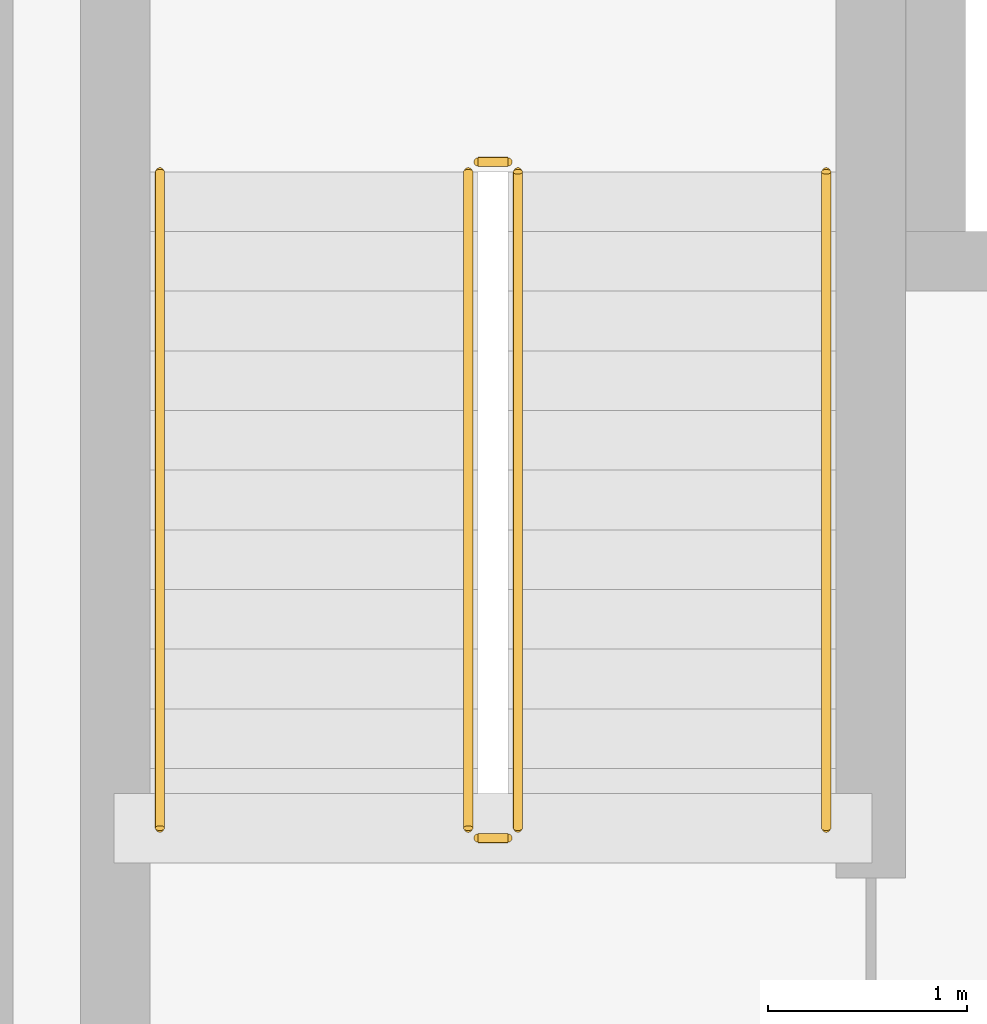
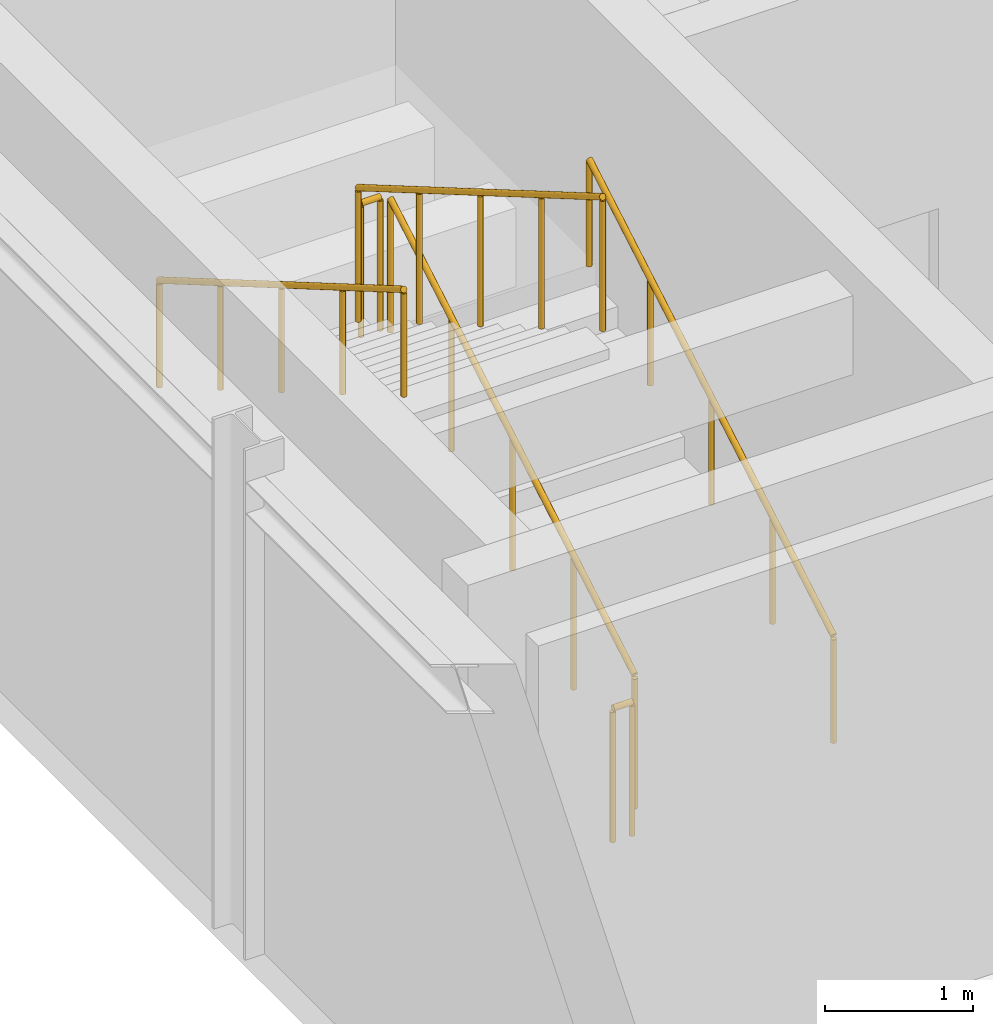
# One storey, part 116 of 122: 6 railings.
"""IFC4 building model written with IfcOpenShell, lengths in metres."""

from ifc_helpers import new_model, si_unit, direction, frame, origin, origin_2d, place, context, subcontext, project, spatial, circle, extrude, material, material_profile, profile_set, type_object, element, save


model = new_model("IFC4")

# Units and contexts
model_context = context("Model", 3, precision=1e-05, world=origin(), true_north=direction((0.0, 1.0)))
body_context = subcontext(model_context, "Body", "Model", "MODEL_VIEW")
ifc_project = project(units=[si_unit("LENGTHUNIT", "METRE"), si_unit("AREAUNIT", "SQUARE_METRE"), si_unit("VOLUMEUNIT", "CUBIC_METRE"), si_unit("PLANEANGLEUNIT", "RADIAN"), si_unit("MASSUNIT", "GRAM", prefix="KILO")], contexts=[model_context])

# Site, building, storey
site_placement = place(None, origin())
site = spatial("IfcSite", under=ifc_project, at=site_placement, CompositionType="ELEMENT")
building_placement = place(site_placement, origin())
building = spatial("IfcBuilding", under=site, at=building_placement, Name="Tazoul Stagehouse", CompositionType="ELEMENT")
storey_placement = place(building_placement, frame((0.0, 0.0, 4.800048828125)))
storey = spatial("IfcBuildingStorey", under=building, at=storey_placement, Name="L01", CompositionType="ELEMENT", Elevation=4.800048828125)

# Railings
ifc_material = material(Name="Brushed Stainless Steel 316L", Category="steel")
ifc_material_profile_1 = material_profile(ifc_material, circle(Radius=0.02392578125, at=origin_2d()), Name="SS RAIL D48")
ifc_profile_set_1 = profile_set([ifc_material_profile_1], Name="Brushed Stainless Steel 316L")
railing_type_1 = type_object("IfcRailingType", Name="Architectural Guardrail H1120", PredefinedType="GUARDRAIL", material=ifc_profile_set_1)
railing_1_placement = place(storey_placement, frame((60.5, 103.800048828125, 0.175048828125)))
element("IfcRailing", 1, at=railing_1_placement, inside=storey, type_object=railing_type_1, Name="L01 ST-03 stair guard 1", PredefinedType="GUARDRAIL", context=body_context, shape_type="SweptSolid", body=[
    extrude(circle(Radius=0.02392578125, at=origin_2d()), frame((0.0, 0.0, 1.09619140625), z_axis=(0.0, 0.863804395585, 0.503827317807), x_axis=(-1.0, 0.0, 0.0)), (0.0, 0.0, 1.0), 3.8203125),
    extrude(circle(Radius=0.02099609375, at=origin_2d()), origin(), (0.0, 0.0, 1.0), 1.072021484375),
    extrude(circle(Radius=0.02099609375, at=origin_2d()), frame((0.0, 0.824951171875, 0.481201171875)), (0.0, 0.0, 1.0), 1.072021484375),
    extrude(circle(Radius=0.02099609375, at=origin_2d()), frame((0.0, 1.64990234375, 0.96240234375)), (0.0, 0.0, 1.0), 1.072021484375),
    extrude(circle(Radius=0.02099609375, at=origin_2d()), frame((0.0, 2.47509765625, 1.443603515625)), (0.0, 0.0, 1.0), 1.072021484375),
    extrude(circle(Radius=0.02099609375, at=origin_2d()), frame((0.0, 3.300048828125, 1.9248046875)), (0.0, 0.0, 1.0), 1.072021484375),
])
railing_2_placement = place(storey_placement, frame((60.449951171875, 107.14990234375, 2.099853515625)))
element("IfcRailing", 2, at=railing_2_placement, inside=storey, type_object=railing_type_1, Name="L01 ST-03 stair guard 2", PredefinedType="GUARDRAIL", context=body_context, shape_type="SweptSolid", body=[
    extrude(circle(Radius=0.02392578125, at=origin_2d()), frame((0.0, 0.0, 1.09619140625), z_axis=(-1.0, 0.0, 0.0), x_axis=(0.0, -1.0, 0.0)), (0.0, 0.0, 1.0), 0.14990234375),
    extrude(circle(Radius=0.02099609375, at=origin_2d()), origin(), (0.0, 0.0, 1.0), 1.072021484375),
    extrude(circle(Radius=0.02099609375, at=origin_2d()), frame((-0.14990234375, 0.0, 0.0)), (0.0, 0.0, 1.0), 1.072021484375),
])
railing_3_placement = place(storey_placement, frame((60.25, 107.10009765625, 2.27490234375)))
element("IfcRailing", 3, at=railing_3_placement, inside=storey, type_object=railing_type_1, Name="L01 ST-03 stair guard 3", PredefinedType="GUARDRAIL", context=body_context, shape_type="SweptSolid", body=[
    extrude(circle(Radius=0.02392578125, at=origin_2d()), frame((0.0, 0.0, 1.09619140625), z_axis=(0.0, -0.863776583165, 0.503874998761), x_axis=(1.0, 0.0, 0.0)), (0.0, 0.0, 1.0), 3.820556640625),
    extrude(circle(Radius=0.02099609375, at=origin_2d()), origin(), (0.0, 0.0, 1.0), 1.072021484375),
    extrude(circle(Radius=0.02099609375, at=origin_2d()), frame((0.0, -0.824951171875, 0.481201171875)), (0.0, 0.0, 1.0), 1.072021484375),
    extrude(circle(Radius=0.02099609375, at=origin_2d()), frame((0.0, -1.64990234375, 0.96240234375)), (0.0, 0.0, 1.0), 1.072021484375),
    extrude(circle(Radius=0.02099609375, at=origin_2d()), frame((0.0, -2.47509765625, 1.44384765625)), (0.0, 0.0, 1.0), 1.072021484375),
    extrude(circle(Radius=0.02099609375, at=origin_2d()), frame((0.0, -3.300048828125, 1.925048828125)), (0.0, 0.0, 1.0), 1.072021484375),
])
railing_4_placement = place(storey_placement, frame((60.449951171875, 103.75, 0.0)))
element("IfcRailing", 4, at=railing_4_placement, inside=storey, type_object=railing_type_1, Name="L01 ST-03 stair guard 4", PredefinedType="GUARDRAIL", context=body_context, shape_type="SweptSolid", body=[
    extrude(circle(Radius=0.02392578125, at=origin_2d()), frame((0.0, 0.0, 1.09619140625), z_axis=(-1.0, 0.0, 0.0), x_axis=(0.0, -1.0, 0.0)), (0.0, 0.0, 1.0), 0.14990234375),
    extrude(circle(Radius=0.02099609375, at=origin_2d()), origin(), (0.0, 0.0, 1.0), 1.072021484375),
    extrude(circle(Radius=0.02099609375, at=origin_2d()), frame((-0.14990234375, 0.0, 0.0)), (0.0, 0.0, 1.0), 1.072021484375),
])
ifc_material_profile_2 = material_profile(ifc_material, circle(Radius=0.02099609375, at=origin_2d()), Name="SS HANDRAIL D42")
ifc_profile_set_2 = profile_set([ifc_material_profile_2], Name="Brushed Stainless Steel 316L")
railing_type_2 = type_object("IfcRailingType", Name="Continuous Stair Handrail H900", PredefinedType="HANDRAIL", material=ifc_profile_set_2)
railing_5_placement = place(storey_placement, frame((62.050048828125, 103.800048828125, 0.175048828125)))
element("IfcRailing", 5, at=railing_5_placement, inside=storey, type_object=railing_type_2, Name="L01 ST-03 stair handrail 1", PredefinedType="HANDRAIL", context=body_context, shape_type="SweptSolid", body=[
    extrude(circle(Radius=0.02392578125, at=origin_2d()), frame((0.0, 0.0, 0.8759765625), z_axis=(0.0, 0.863804395585, 0.503827317807), x_axis=(-1.0, 0.0, 0.0)), (0.0, 0.0, 1.0), 3.8203125),
    extrude(circle(Radius=0.02099609375, at=origin_2d()), origin(), (0.0, 0.0, 1.0), 0.851806640625),
    extrude(circle(Radius=0.02099609375, at=origin_2d()), frame((0.0, 0.824951171875, 0.481201171875)), (0.0, 0.0, 1.0), 0.851806640625),
    extrude(circle(Radius=0.02099609375, at=origin_2d()), frame((0.0, 1.64990234375, 0.96240234375)), (0.0, 0.0, 1.0), 0.851806640625),
    extrude(circle(Radius=0.02099609375, at=origin_2d()), frame((0.0, 2.47509765625, 1.443603515625)), (0.0, 0.0, 1.0), 0.851806640625),
    extrude(circle(Radius=0.02099609375, at=origin_2d()), frame((0.0, 3.300048828125, 1.9248046875)), (0.0, 0.0, 1.0), 0.851806640625),
])
railing_6_placement = place(storey_placement, frame((58.699951171875, 107.10009765625, 2.27490234375)))
element("IfcRailing", 6, at=railing_6_placement, inside=storey, type_object=railing_type_2, Name="L01 ST-03 stair handrail 2", PredefinedType="HANDRAIL", context=body_context, shape_type="SweptSolid", body=[
    extrude(circle(Radius=0.02392578125, at=origin_2d()), frame((0.0, 0.0, 0.8759765625), z_axis=(0.0, -0.863776583165, 0.503874998761), x_axis=(1.0, 0.0, 0.0)), (0.0, 0.0, 1.0), 3.820556640625),
    extrude(circle(Radius=0.02099609375, at=origin_2d()), origin(), (0.0, 0.0, 1.0), 0.851806640625),
    extrude(circle(Radius=0.02099609375, at=origin_2d()), frame((0.0, -0.824951171875, 0.481201171875)), (0.0, 0.0, 1.0), 0.851806640625),
    extrude(circle(Radius=0.02099609375, at=origin_2d()), frame((0.0, -1.64990234375, 0.96240234375)), (0.0, 0.0, 1.0), 0.851806640625),
    extrude(circle(Radius=0.02099609375, at=origin_2d()), frame((0.0, -2.47509765625, 1.44384765625)), (0.0, 0.0, 1.0), 0.851806640625),
    extrude(circle(Radius=0.02099609375, at=origin_2d()), frame((0.0, -3.300048828125, 1.925048828125)), (0.0, 0.0, 1.0), 0.851806640625),
])

save(model, "model.ifc")
